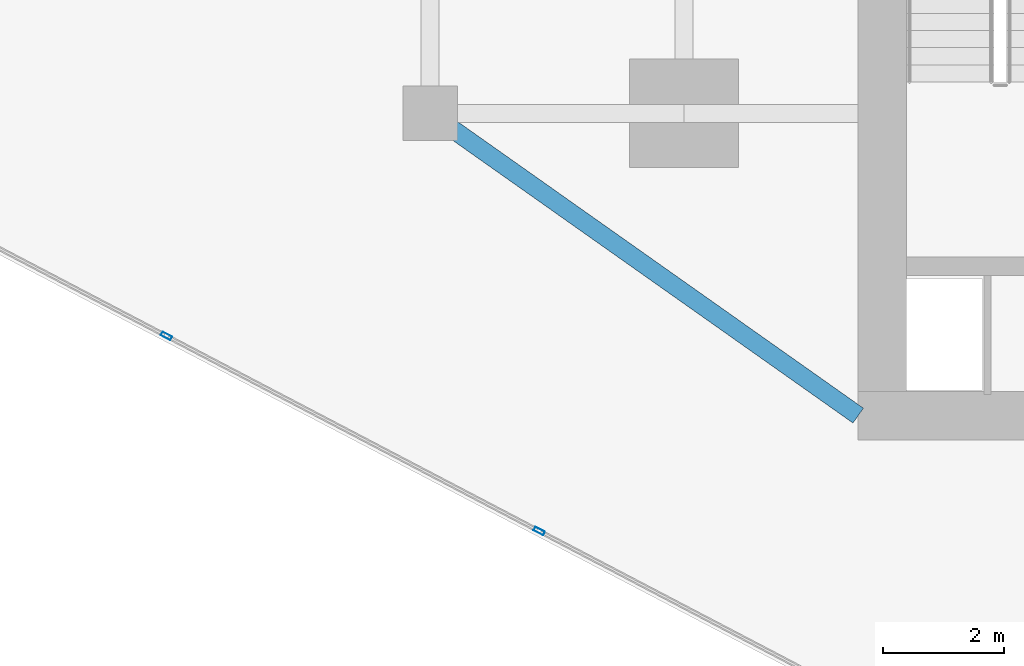
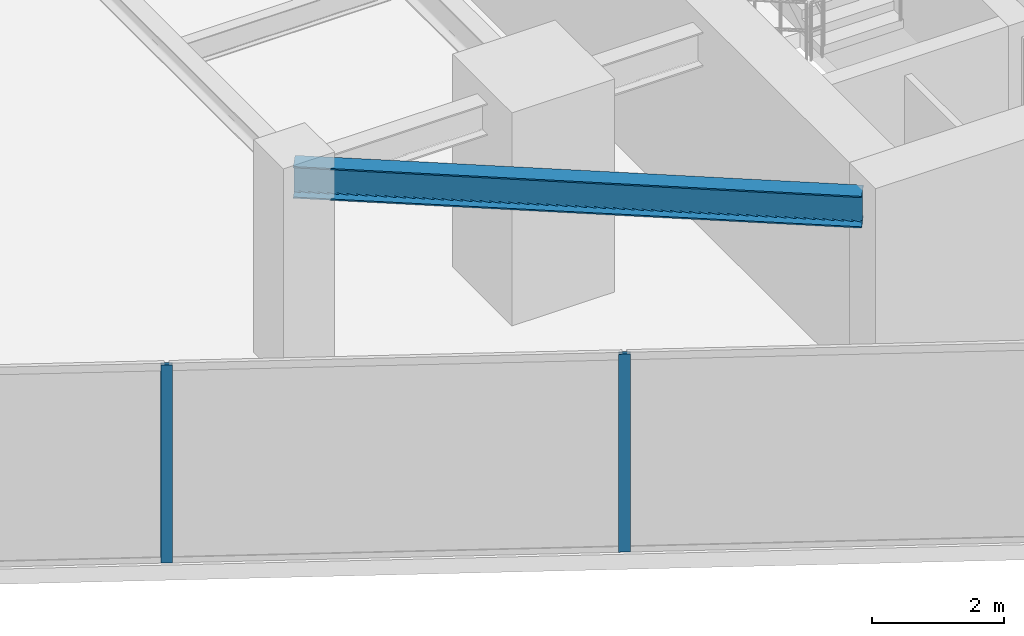
# One storey, part 2 of 27: 2 members, 1 beam, 1 element without a shape of its own.
"""IFC4 building model written with IfcOpenShell, lengths in metres."""

from ifc_helpers import new_model, si_unit, direction, frame, origin, origin_2d, place, context, subcontext, project, spatial, hollow_rectangle, i_section, extrude, source, transform, mapped, material, material_profile, profile_set, type_object, type_shapes, element, aggregate, save


model = new_model("IFC4")

# Units and contexts
model_context = context("Model", 3, precision=1e-05, world=origin(), true_north=direction((0.0, 1.0)))
body_context = subcontext(model_context, "Body", "Model", "MODEL_VIEW")
ifc_project = project(units=[si_unit("LENGTHUNIT", "METRE"), si_unit("AREAUNIT", "SQUARE_METRE"), si_unit("VOLUMEUNIT", "CUBIC_METRE"), si_unit("PLANEANGLEUNIT", "RADIAN"), si_unit("MASSUNIT", "GRAM", prefix="KILO")], contexts=[model_context])

# Site, building, storey
site_placement = place(None, origin())
site = spatial("IfcSite", under=ifc_project, at=site_placement, CompositionType="ELEMENT")
building_placement = place(site_placement, origin())
building = spatial("IfcBuilding", under=site, at=building_placement, Name="Krantzveldt Concourse Tower", CompositionType="ELEMENT")
storey_placement = place(building_placement, frame((0.0, 0.0, 158.050048828125)))
storey = spatial("IfcBuildingStorey", under=building, at=storey_placement, Name="L38", CompositionType="ELEMENT", Elevation=158.050048828125)

# Beam
ifc_material_1 = material(Name="Steel S355JR", Category="steel")
ifc_material_profile_1 = material_profile(ifc_material_1, i_section(OverallWidth=0.300048828125, OverallDepth=0.590087890625, WebThickness=0.012939453125, FlangeThickness=0.02490234375, FilletRadius=0.027099609375, at=origin_2d()), Name="Steel S355JR", Category="steel")
ifc_profile_set_1 = profile_set([ifc_material_profile_1], Name="Steel S355JR - HEA 600")
beam_type = type_object("IfcBeamType", Name="BM-B-HEA600", PredefinedType="BEAM", material=ifc_profile_set_1)
shared_shape_1 = source(origin(), body_context, "Body", "SweptSolid", [
    extrude(i_section(OverallWidth=0.300048828125, OverallDepth=0.590087890625, WebThickness=0.012939453125, FlangeThickness=0.02490234375, FilletRadius=0.027099609375, at=origin_2d()), origin(), (0.0, 0.0, 1.0), 8.667724609375),
])
type_shapes(beam_type, [shared_shape_1])
beam_placement = place(storey_placement, frame((21.0, 15.89990234375, 3.375), z_axis=(0.81684294656, -0.576860122261, 0.0), x_axis=(0.576860122261, 0.81684294656, 0.0)))
element("IfcBeam", 1, at=beam_placement, inside=storey, type_object=beam_type, Name="L38 Tower Girder BR-CSW", PredefinedType="BEAM", context=body_context, shape_type="MappedRepresentation", body=[
    mapped(shared_shape_1, transform((0.0, 0.0, 0.0), x_axis=(1.0, 0.0, 0.0), y_axis=(0.0, 1.0, 0.0), z_axis=(0.0, 0.0, 1.0), scale=1.0)),
])

# Curtain wall, members
ifc_material_2 = material(Name="Anodised aluminium 6063-T6", Category="aluminium")
curtain_wall_type = type_object("IfcCurtainWallType", Name="CW3", PredefinedType="USERDEFINED", material=ifc_material_2)
curtain_wall_placement = place(storey_placement, origin())
curtain_wall = element("IfcCurtainWall", 2, at=curtain_wall_placement, inside=storey, type_object=curtain_wall_type, Name="CW-L38-F04", ObjectType="UNITISED CURTAIN WALL", PredefinedType="USERDEFINED")
ifc_material_profile_2 = material_profile(ifc_material_2, hollow_rectangle(XDim=0.070068359375, YDim=0.179931640625, WallThickness=0.0048828125, at=origin_2d()), Name="Anodised aluminium 6063-T6", Category="aluminium")
ifc_profile_set_2 = profile_set([ifc_material_profile_2], Name="Anodised aluminium 6063-T6 - ALU-MULL 180x70x5")
member_type = type_object("IfcMemberType", Name="CW-MUL-180", PredefinedType="MULLION", material=ifc_profile_set_2)
shared_shape_2 = source(origin(), body_context, "Body", "SweptSolid", [
    extrude(hollow_rectangle(XDim=0.070068359375, YDim=0.179931640625, WallThickness=0.0048828125, at=origin_2d()), origin(), (0.0, 0.0, 1.0), 3.669921875),
])
type_shapes(member_type, [shared_shape_2])
member_1_placement = place(storey_placement, frame((16.63720703125, 12.217041015625, 0.0), z_axis=(0.0, 0.0, 1.0), x_axis=(0.463682819502, 0.886001265743, 0.0)))
member_1 = element("IfcMember", 3, at=member_1_placement, type_object=member_type, Name="CW-Z34 mullion 2", PredefinedType="MULLION", context=body_context, shape_type="MappedRepresentation", body=[
    mapped(shared_shape_2, transform((0.0, 0.0, 0.0), x_axis=(1.0, 0.0, 0.0), y_axis=(0.0, 1.0, 0.0), z_axis=(0.0, 0.0, 1.0), scale=1.0)),
])
member_2_placement = place(storey_placement, frame((22.8037109375, 8.989990234375, 0.0), z_axis=(0.0, 0.0, 1.0), x_axis=(0.463682819502, 0.886001265743, 0.0)))
member_2 = element("IfcMember", 4, at=member_2_placement, type_object=member_type, Name="CW-Z34 mullion 3", PredefinedType="MULLION", context=body_context, shape_type="MappedRepresentation", body=[
    mapped(shared_shape_2, transform((0.0, 0.0, 0.0), x_axis=(1.0, 0.0, 0.0), y_axis=(0.0, 1.0, 0.0), z_axis=(0.0, 0.0, 1.0), scale=1.0)),
])
aggregate(curtain_wall, [member_1, member_2])

save(model, "model.ifc")
